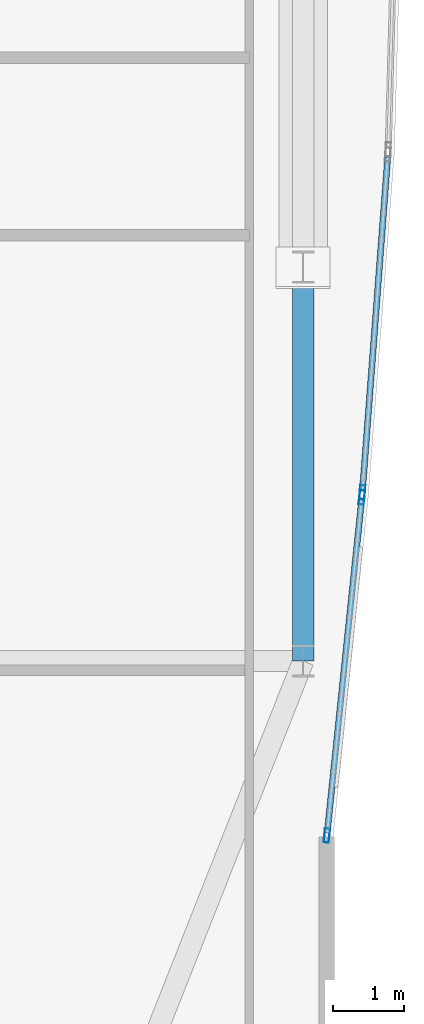
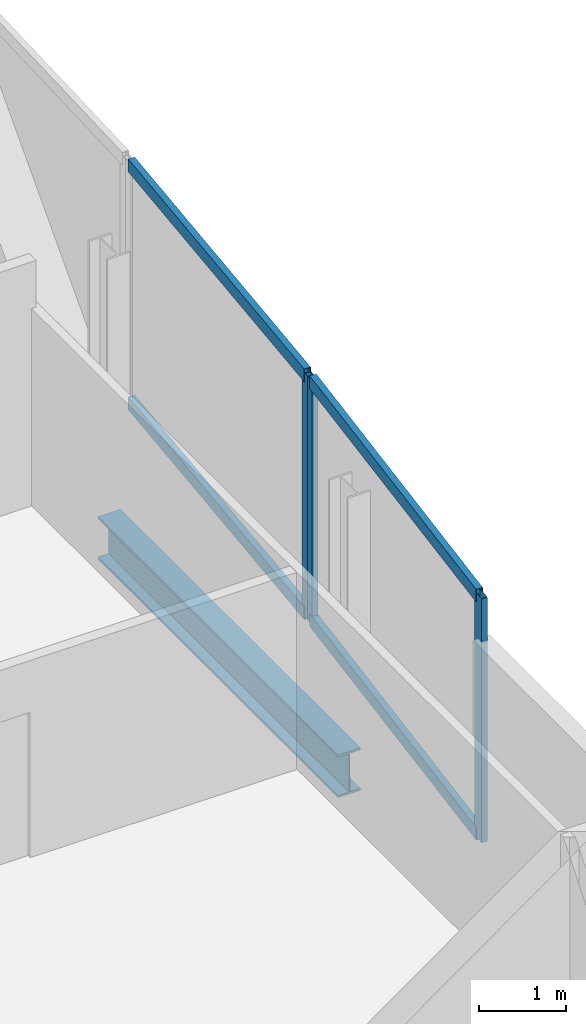
# One storey, part 18 of 32: 7 members, 1 beam, 2 elements without a shape of their own.
"""IFC4 building model written with IfcOpenShell, lengths in metres."""

from ifc_helpers import new_model, si_unit, direction, frame, origin, origin_2d, place, context, subcontext, project, spatial, hollow_rectangle, i_section, extrude, material, material_profile, profile_set, type_object, element, aggregate, save


model = new_model("IFC4")

# Units and contexts
model_context = context("Model", 3, precision=1e-05, world=origin(), true_north=direction((0.0, 1.0)))
body_context = subcontext(model_context, "Body", "Model", "MODEL_VIEW")
ifc_project = project(units=[si_unit("LENGTHUNIT", "METRE"), si_unit("AREAUNIT", "SQUARE_METRE"), si_unit("VOLUMEUNIT", "CUBIC_METRE"), si_unit("PLANEANGLEUNIT", "RADIAN"), si_unit("MASSUNIT", "GRAM", prefix="KILO")], contexts=[model_context])

# Site, building, storey
site_placement = place(None, origin())
site = spatial("IfcSite", under=ifc_project, at=site_placement, CompositionType="ELEMENT")
building_placement = place(site_placement, origin())
building = spatial("IfcBuilding", under=site, at=building_placement, Name="Khoronbel Lancet Exchange", CompositionType="ELEMENT")
storey_placement = place(building_placement, frame((0.0, 0.0, 231.800048828125)))
storey = spatial("IfcBuildingStorey", under=building, at=storey_placement, Name="L59", CompositionType="ELEMENT", Elevation=231.800048828125)

# Beam
ifc_material_1 = material(Name="Steel S355", Category="steel")
ifc_material_profile_1 = material_profile(ifc_material_1, i_section(OverallWidth=0.300048828125, OverallDepth=0.60009765625, WebThickness=0.015380859375, FlangeThickness=0.030029296875, at=origin_2d()), Name="HEB 600")
ifc_profile_set_1 = profile_set([ifc_material_profile_1], Name="Steel S355")
beam_type = type_object("IfcBeamType", Name="BM-BSP2", PredefinedType="SPANDREL", material=ifc_profile_set_1)
beam_placement = place(storey_placement, frame((65.6298828125, 19.199951171875, -0.4599609375), z_axis=(0.0, 1.0, 0.0), x_axis=(-1.0, 0.0, 0.0)))
element("IfcBeam", 1, at=beam_placement, inside=storey, type_object=beam_type, Name="Level L59 perimeter spandrel beam SP11", PredefinedType="SPANDREL", context=body_context, shape_type="SweptSolid", body=[
    extrude(i_section(OverallWidth=0.300048828125, OverallDepth=0.60009765625, WebThickness=0.015380859375, FlangeThickness=0.030029296875, at=origin_2d()), origin(), (0.0, 0.0, 1.0), 5.550048828125),
])

# Curtain wall, member
ifc_material_2 = material(Name="Low-E Solar Control Insulating Glass", Category="glass")
curtain_wall_type = type_object("IfcCurtainWallType", Name="CW-4", PredefinedType="NOTDEFINED", material=ifc_material_2)
curtain_wall_1_placement = place(storey_placement, origin())
curtain_wall_1 = element("IfcCurtainWall", 2, at=curtain_wall_1_placement, inside=storey, type_object=curtain_wall_type, Name="Unitised curtain wall CW-L59-E21", PredefinedType="NOTDEFINED")
ifc_material_3 = material(Name="Bronze-Anodised Aluminium 6063-T6", Category="aluminium")
ifc_material_profile_2 = material_profile(ifc_material_3, hollow_rectangle(XDim=0.074951171875, YDim=0.199951171875, WallThickness=0.0048828125, at=origin_2d()), Name="ALU MULLION 75x200")
ifc_profile_set_2 = profile_set([ifc_material_profile_2], Name="Bronze-Anodised Aluminium 6063-T6")
member_type_1 = type_object("IfcMemberType", Name="MEM-CWM2", PredefinedType="MULLION", material=ifc_profile_set_2)
member_1_placement = place(storey_placement, frame((66.463134765625, 21.57861328125, 0.0), z_axis=(0.0, 0.0, 1.0), x_axis=(0.997145938632, -0.075498192491, 0.0)))
member_1 = element("IfcMember", 3, at=member_1_placement, type_object=member_type_1, Name="CW4 mullion 2", PredefinedType="MULLION", context=body_context, shape_type="SweptSolid", body=[
    extrude(hollow_rectangle(XDim=0.074951171875, YDim=0.199951171875, WallThickness=0.0048828125, at=origin_2d()), origin(), (0.0, 0.0, 1.0), 3.43994140625),
])

# Curtain wall, members
curtain_wall_2_placement = place(storey_placement, origin())
curtain_wall_2 = element("IfcCurtainWall", 4, at=curtain_wall_2_placement, inside=storey, type_object=curtain_wall_type, Name="Unitised curtain wall CW-L59-E22", PredefinedType="NOTDEFINED")
member_2_placement = place(storey_placement, frame((66.45654296875, 21.50390625, 0.0), z_axis=(0.0, 0.0, 1.0), x_axis=(0.99469070501, -0.102909675768, 0.0)))
member_2 = element("IfcMember", 5, at=member_2_placement, type_object=member_type_1, Name="CW4 mullion 1", PredefinedType="MULLION", context=body_context, shape_type="SweptSolid", body=[
    extrude(hollow_rectangle(XDim=0.074951171875, YDim=0.199951171875, WallThickness=0.0048828125, at=origin_2d()), origin(), (0.0, 0.0, 1.0), 3.43994140625),
])
member_3_placement = place(storey_placement, frame((65.9638671875, 16.741943359375, 0.0), z_axis=(0.0, 0.0, 1.0), x_axis=(0.99469070501, -0.102909675768, 0.0)))
member_3 = element("IfcMember", 6, at=member_3_placement, type_object=member_type_1, Name="CW4 mullion 2", PredefinedType="MULLION", context=body_context, shape_type="SweptSolid", body=[
    extrude(hollow_rectangle(XDim=0.074951171875, YDim=0.199951171875, WallThickness=0.0048828125, at=origin_2d()), origin(), (0.0, 0.0, 1.0), 3.43994140625),
])

# Member
ifc_material_profile_3 = material_profile(ifc_material_3, hollow_rectangle(XDim=0.0849609375, YDim=0.179931640625, WallThickness=0.0048828125, at=origin_2d()), Name="ALU TRANSOM 85x180")
ifc_profile_set_3 = profile_set([ifc_material_profile_3], Name="Bronze-Anodised Aluminium 6063-T6")
member_type_2 = type_object("IfcMemberType", Name="MEM-CWT1", PredefinedType="USERDEFINED", material=ifc_profile_set_3)
member_4_placement = place(storey_placement, frame((66.820556640625, 26.296630859375, 0.04248046875), z_axis=(-0.075519173585, -0.997144349842, 0.0), x_axis=(0.997144349842, -0.075519173585, 0.0)))
member_4 = element("IfcMember", 7, at=member_4_placement, type_object=member_type_2, Name="CW4 transom 1.1", ObjectType="TRANSOM", PredefinedType="USERDEFINED", context=body_context, shape_type="SweptSolid", body=[
    extrude(hollow_rectangle(XDim=0.0849609375, YDim=0.179931640625, WallThickness=0.0048828125, at=origin_2d()), origin(), (0.0, 0.0, 1.0), 4.694091796875),
])

member_5_placement = place(storey_placement, frame((66.820556640625, 26.296630859375, 3.3974609375), z_axis=(-0.075519173585, -0.997144349842, 0.0), x_axis=(0.997144349842, -0.075519173585, 0.0)))
member_5 = element("IfcMember", 8, at=member_5_placement, type_object=member_type_2, Name="CW4 transom 1.2", ObjectType="TRANSOM", PredefinedType="USERDEFINED", context=body_context, shape_type="SweptSolid", body=[
    extrude(hollow_rectangle(XDim=0.0849609375, YDim=0.179931640625, WallThickness=0.0048828125, at=origin_2d()), origin(), (0.0, 0.0, 1.0), 4.694091796875),
])

aggregate(curtain_wall_1, [member_1, member_4, member_5])

member_6_placement = place(storey_placement, frame((66.45263671875, 21.466796875, 0.04248046875), z_axis=(-0.102888545898, -0.994692890858, 0.0), x_axis=(0.994692890858, -0.102888545898, 0.0)))
member_6 = element("IfcMember", 9, at=member_6_placement, type_object=member_type_2, Name="CW4 transom 1.1", ObjectType="TRANSOM", PredefinedType="USERDEFINED", context=body_context, shape_type="SweptSolid", body=[
    extrude(hollow_rectangle(XDim=0.0849609375, YDim=0.179931640625, WallThickness=0.0048828125, at=origin_2d()), origin(), (0.0, 0.0, 1.0), 4.71240234375),
])

member_7_placement = place(storey_placement, frame((66.45263671875, 21.466796875, 3.3974609375), z_axis=(-0.102888545898, -0.994692890858, 0.0), x_axis=(0.994692890858, -0.102888545898, 0.0)))
member_7 = element("IfcMember", 10, at=member_7_placement, type_object=member_type_2, Name="CW4 transom 1.2", ObjectType="TRANSOM", PredefinedType="USERDEFINED", context=body_context, shape_type="SweptSolid", body=[
    extrude(hollow_rectangle(XDim=0.0849609375, YDim=0.179931640625, WallThickness=0.0048828125, at=origin_2d()), origin(), (0.0, 0.0, 1.0), 4.71240234375),
])

aggregate(curtain_wall_2, [member_2, member_3, member_6, member_7])

save(model, "model.ifc")
